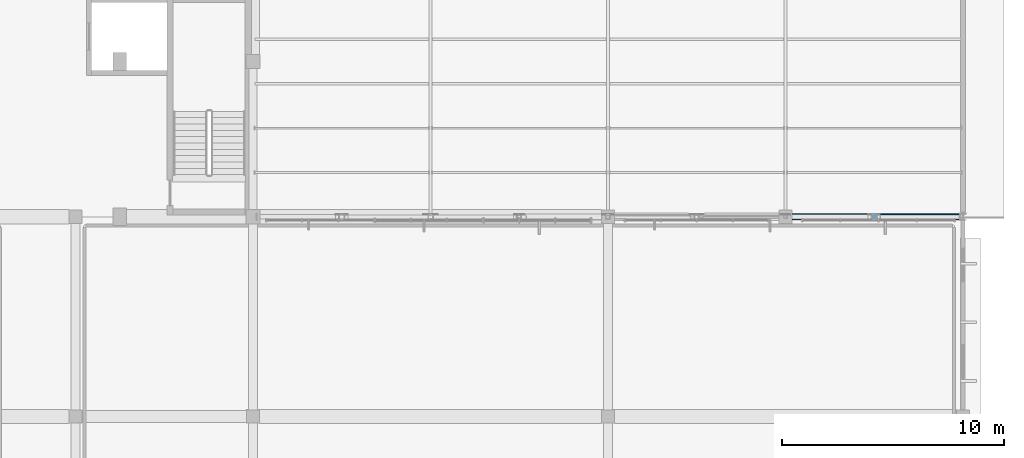
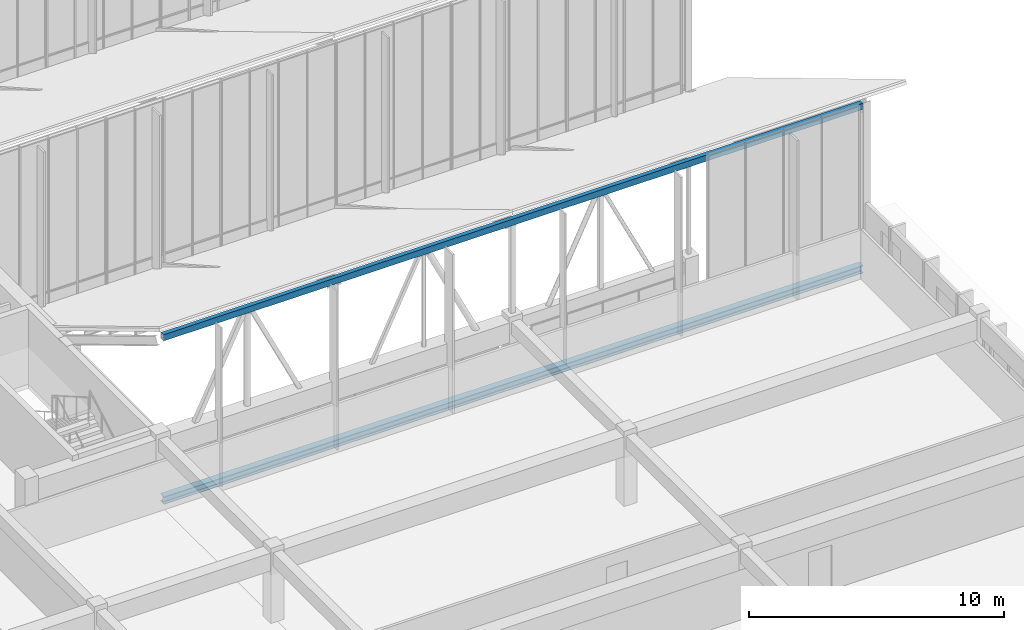
# One storey, part 35 of 155: 2 members.
"""IFC4 building model written with IfcOpenShell, lengths in metres."""

from ifc_helpers import new_model, si_unit, direction, frame, origin, origin_2d, place, context, subcontext, project, spatial, hollow_rectangle, i_section, extrude, material, material_profile, profile_set, type_object, element, save


model = new_model("IFC4")

# Units and contexts
model_context = context("Model", 3, precision=1e-05, world=origin(), true_north=direction((0.0, 1.0)))
body_context = subcontext(model_context, "Body", "Model", "MODEL_VIEW")
ifc_project = project(units=[si_unit("LENGTHUNIT", "METRE"), si_unit("AREAUNIT", "SQUARE_METRE"), si_unit("VOLUMEUNIT", "CUBIC_METRE"), si_unit("PLANEANGLEUNIT", "RADIAN"), si_unit("MASSUNIT", "GRAM", prefix="KILO")], contexts=[model_context])

# Site, building, storey
site_placement = place(None, origin())
site = spatial("IfcSite", under=ifc_project, at=site_placement, CompositionType="ELEMENT")
building_placement = place(site_placement, origin())
building = spatial("IfcBuilding", under=site, at=building_placement, Name="Larkveld Mobility Hub", CompositionType="ELEMENT")
storey_placement = place(building_placement, frame((0.0, 0.0, 8.39990234375)))
storey = spatial("IfcBuildingStorey", under=building, at=storey_placement, Name="L02", CompositionType="ELEMENT", Elevation=8.39990234375)

# Members
ifc_material = material(Name="Steel S355JR", Category="steel")
ifc_material_profile_1 = material_profile(ifc_material, i_section(OverallWidth=0.300048828125, OverallDepth=0.360107421875, WebThickness=0.012451171875, FlangeThickness=0.0224609375, FilletRadius=0.027099609375, at=origin_2d()), Name="HEB 360")
ifc_profile_set_1 = profile_set([ifc_material_profile_1], Name="Steel S355JR")
member_type_1 = type_object("IfcMemberType", Name="MB-CH-HEB360", PredefinedType="CHORD", material=ifc_profile_set_1)
member_1_placement = place(storey_placement, frame((152.159912109375, 28.0, 0.18017578125), z_axis=(1.0, 0.0, 0.0), x_axis=(0.0, 1.0, 0.0)))
element("IfcMember", 1, at=member_1_placement, inside=storey, type_object=member_type_1, Name="ROOF TRUSS T1 Bottom Chord", PredefinedType="CHORD", context=body_context, shape_type="SweptSolid", body=[
    extrude(i_section(OverallWidth=0.300048828125, OverallDepth=0.360107421875, WebThickness=0.012451171875, FlangeThickness=0.0224609375, FilletRadius=0.027099609375, at=origin_2d()), origin(), (0.0, 0.0, 1.0), 31.68017578125),
])
ifc_material_profile_2 = material_profile(ifc_material, hollow_rectangle(XDim=0.199951171875, YDim=0.300048828125, WallThickness=0.012451171875, at=origin_2d()), Name="RHS 300x200x12.5")
ifc_profile_set_2 = profile_set([ifc_material_profile_2], Name="Steel S355JR")
member_type_2 = type_object("IfcMemberType", Name="MB-CH-RHS300", PredefinedType="CHORD", material=ifc_profile_set_2)
member_2_placement = place(storey_placement, frame((152.159912109375, 28.0, 7.9501953125), z_axis=(1.0, 0.0, 0.0), x_axis=(0.0, 1.0, 0.0)))
element("IfcMember", 2, at=member_2_placement, inside=storey, type_object=member_type_2, Name="ROOF TRUSS T1 Top Chord", PredefinedType="CHORD", context=body_context, shape_type="SweptSolid", body=[
    extrude(hollow_rectangle(XDim=0.199951171875, YDim=0.300048828125, WallThickness=0.012451171875, at=origin_2d()), origin(), (0.0, 0.0, 1.0), 31.68017578125),
])

save(model, "model.ifc")
